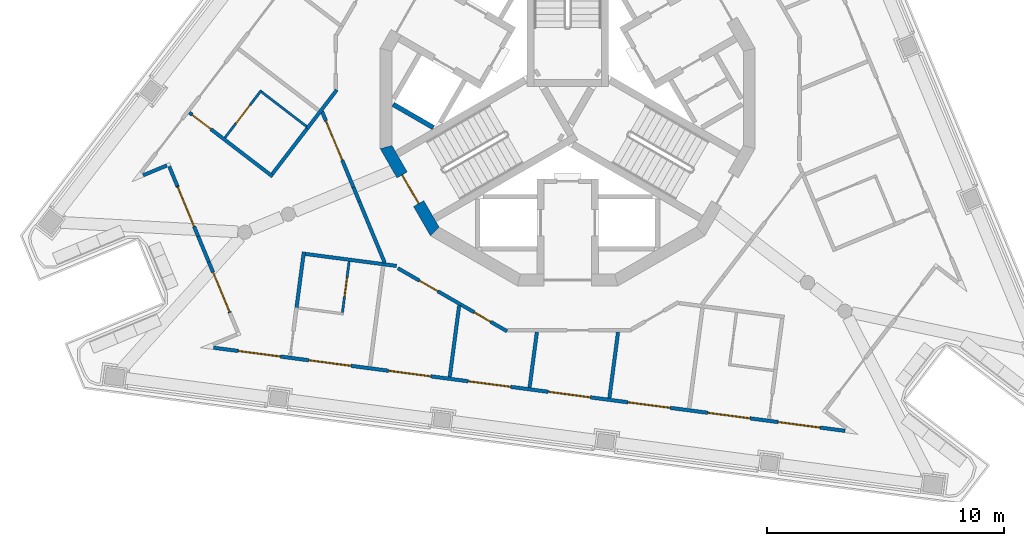
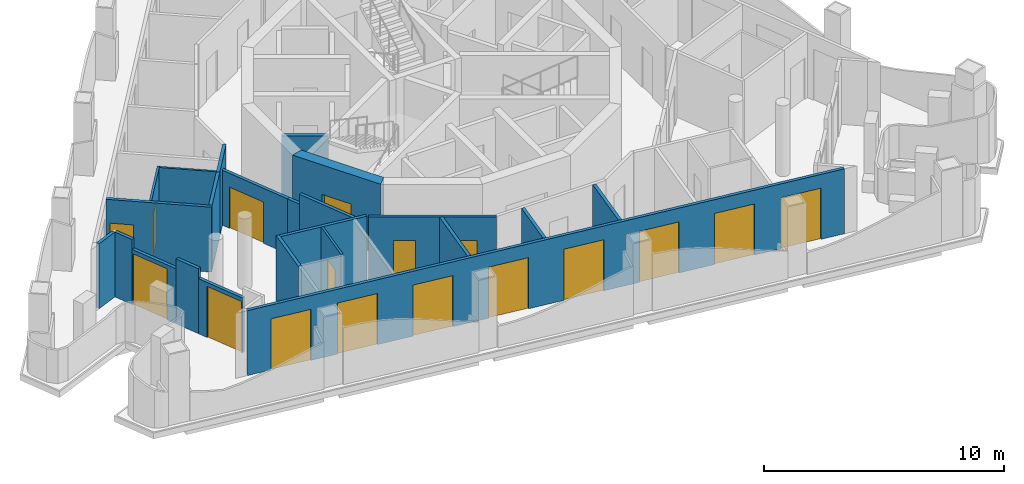
# One storey, part 2 of 12: 23 walls, 17 doors, 17 openings.
"""IFC4 building model written with IfcOpenShell, lengths in metres."""

from ifc_helpers import new_model, si_unit, direction, frame, frame_2d, origin, place, context, subcontext, project, spatial, polyline, rectangle, outline, extrude, material, layer, layer_set, type_object, element, fill, save


model = new_model("IFC4")

# Units and contexts
model_context = context("Model", 3, precision=1e-05, world=origin(), true_north=direction((0.0, 1.0)))
body_context = subcontext(model_context, "Body", "Model", "MODEL_VIEW")
ifc_project = project(units=[si_unit("LENGTHUNIT", "METRE"), si_unit("AREAUNIT", "SQUARE_METRE"), si_unit("VOLUMEUNIT", "CUBIC_METRE"), si_unit("PLANEANGLEUNIT", "RADIAN"), si_unit("MASSUNIT", "GRAM", prefix="KILO")], contexts=[model_context])

# Site, building, storey
site_placement = place(None, origin())
site = spatial("IfcSite", under=ifc_project, at=site_placement, CompositionType="ELEMENT")
building_placement = place(site_placement, origin())
building = spatial("IfcBuilding", under=site, at=building_placement, Name="Trine Commons Tower", CompositionType="ELEMENT")
storey_placement = place(building_placement, frame((0.0, 0.0, 279.0)))
storey = spatial("IfcBuildingStorey", under=building, at=storey_placement, Name="L73", CompositionType="ELEMENT", Elevation=279.0)

# Wall, openings, doors
ifc_material_1 = material(Name="Aluminium-framed insulated wall panel", Category="aluminium")
ifc_layer_1 = layer(ifc_material_1, 0.14990234375)
ifc_layer_set_1 = layer_set([ifc_layer_1], Name="Aluminium-framed insulated wall panel")
wall_type_1 = type_object("IfcWallType", Name="Glazed frame wall 150, EI 60", PredefinedType="SOLIDWALL", material=ifc_layer_set_1)
wall_1_placement = place(storey_placement, frame((91.869140625, 48.4384765625, 0.0), z_axis=(0.0, 0.0, 1.0), x_axis=(-0.991445282789, 0.130522991213, 0.0)))
wall_1 = element("IfcWall", 1, at=wall_1_placement, inside=storey, type_object=wall_type_1, Name="Glazed frame wall F3", PredefinedType="SOLIDWALL", context=body_context, shape_type="SweptSolid", body=[
    extrude(outline(polyline([(0.1494140625, 0.074951171875), (0.1494140625, -0.074951171875), (27.056884765625, -0.074951171875), (27.056884765625, 0.074951171875), (0.1494140625, 0.074951171875)])), origin(), (0.0, 0.0, 1.0), 3.300048828125),
])
opening_1_placement = place(wall_1_placement, frame((1.200439453125, 0.0, 0.0)))
opening_1 = element("IfcOpeningElement", 2, at=opening_1_placement, cuts=wall_1, Name="Opening BD-8F3-01", PredefinedType="OPENING", context=body_context, shape_type="SweptSolid", body=[
    extrude(rectangle(XDim=1.800048828125, YDim=2.60009765625, at=frame_2d((0.89990234375, 1.300048828125))), frame((0.0, 0.0849609375, 0.0), z_axis=(0.0, -1.0, 0.0), x_axis=(1.0, 0.0, 0.0)), (0.0, 0.0, 1.0), 0.169921875),
])
opening_2_placement = place(wall_1_placement, frame((4.201171875, 0.0, 0.0)))
opening_2 = element("IfcOpeningElement", 3, at=opening_2_placement, cuts=wall_1, Name="Opening BD-8F3-02", PredefinedType="OPENING", context=body_context, shape_type="SweptSolid", body=[
    extrude(rectangle(XDim=1.800048828125, YDim=2.60009765625, at=frame_2d((0.89990234375, 1.300048828125))), frame((0.0, 0.0849609375, 0.0), z_axis=(0.0, -1.0, 0.0), x_axis=(1.0, 0.0, 0.0)), (0.0, 0.0, 1.0), 0.169921875),
])
opening_3_placement = place(wall_1_placement, frame((7.60205078125, 0.0, 0.0)))
opening_3 = element("IfcOpeningElement", 4, at=opening_3_placement, cuts=wall_1, Name="Opening BD-8F3-03", PredefinedType="OPENING", context=body_context, shape_type="SweptSolid", body=[
    extrude(rectangle(XDim=1.800048828125, YDim=2.60009765625, at=frame_2d((0.89990234375, 1.300048828125))), frame((0.0, 0.0849609375, 0.0), z_axis=(0.0, -1.0, 0.0), x_axis=(1.0, 0.0, 0.0)), (0.0, 0.0, 1.0), 0.169921875),
])
opening_4_placement = place(wall_1_placement, frame((11.002685546875, 0.0, 0.0)))
opening_4 = element("IfcOpeningElement", 5, at=opening_4_placement, cuts=wall_1, Name="Opening BD-8F3-04", PredefinedType="OPENING", context=body_context, shape_type="SweptSolid", body=[
    extrude(rectangle(XDim=1.800048828125, YDim=2.60009765625, at=frame_2d((0.89990234375, 1.300048828125))), frame((0.0, 0.0849609375, 0.0), z_axis=(0.0, -1.0, 0.0), x_axis=(1.0, 0.0, 0.0)), (0.0, 0.0, 1.0), 0.169921875),
])
opening_5_placement = place(wall_1_placement, frame((14.403564453125, 0.0, 0.0)))
opening_5 = element("IfcOpeningElement", 6, at=opening_5_placement, cuts=wall_1, Name="Opening BD-8F3-05", PredefinedType="OPENING", context=body_context, shape_type="SweptSolid", body=[
    extrude(rectangle(XDim=1.800048828125, YDim=2.60009765625, at=frame_2d((0.89990234375, 1.300048828125))), frame((0.0, 0.0849609375, 0.0), z_axis=(0.0, -1.0, 0.0), x_axis=(1.0, 0.0, 0.0)), (0.0, 0.0, 1.0), 0.169921875),
])
opening_6_placement = place(wall_1_placement, frame((17.804443359375, 0.0, 0.0)))
opening_6 = element("IfcOpeningElement", 7, at=opening_6_placement, cuts=wall_1, Name="Opening BD-8F3-06", PredefinedType="OPENING", context=body_context, shape_type="SweptSolid", body=[
    extrude(rectangle(XDim=1.800048828125, YDim=2.60009765625, at=frame_2d((0.89990234375, 1.300048828125))), frame((0.0, 0.0849609375, 0.0), z_axis=(0.0, -1.0, 0.0), x_axis=(1.0, 0.0, 0.0)), (0.0, 0.0, 1.0), 0.169921875),
])
opening_7_placement = place(wall_1_placement, frame((21.205078125, 0.0, 0.0)))
opening_7 = element("IfcOpeningElement", 8, at=opening_7_placement, cuts=wall_1, Name="Opening BD-8F3-07", PredefinedType="OPENING", context=body_context, shape_type="SweptSolid", body=[
    extrude(rectangle(XDim=1.800048828125, YDim=2.60009765625, at=frame_2d((0.89990234375, 1.300048828125))), frame((0.0, 0.0849609375, 0.0), z_axis=(0.0, -1.0, 0.0), x_axis=(1.0, 0.0, 0.0)), (0.0, 0.0, 1.0), 0.169921875),
])
opening_8_placement = place(wall_1_placement, frame((24.2060546875, 0.0, 0.0)))
opening_8 = element("IfcOpeningElement", 9, at=opening_8_placement, cuts=wall_1, Name="Opening BD-8F3-08", PredefinedType="OPENING", context=body_context, shape_type="SweptSolid", body=[
    extrude(rectangle(XDim=1.800048828125, YDim=2.60009765625, at=frame_2d((0.89990234375, 1.300048828125))), frame((0.0, 0.0849609375, 0.0), z_axis=(0.0, -1.0, 0.0), x_axis=(1.0, 0.0, 0.0)), (0.0, 0.0, 1.0), 0.169921875),
])
ifc_material_2 = material(Name="Anodised aluminium frame with double glazing", Category="aluminium")
door_type_1 = type_object("IfcDoorType", Name="Sliding loggia door 1800x2600", OperationType="SLIDING_TO_LEFT", PredefinedType="DOOR", material=ifc_material_2)
door_1_placement = place(opening_1_placement, origin())
door_1 = element("IfcDoor", 10, at=door_1_placement, inside=storey, type_object=door_type_1, Name="Loggia door F3 1", OperationType="SLIDING_TO_LEFT", OverallHeight=2.60009765625, OverallWidth=1.800048828125, PredefinedType="DOOR", context=body_context, shape_type="SweptSolid", body=[
    extrude(rectangle(XDim=1.800048828125, YDim=2.60009765625, at=frame_2d((0.89990234375, 1.300048828125))), frame((0.0, 0.02490234375, 0.0), z_axis=(0.0, -1.0, 0.0), x_axis=(1.0, 0.0, 0.0)), (0.0, 0.0, 1.0), 0.050048828125),
])
fill(opening_1, door_1)
door_2_placement = place(opening_2_placement, origin())
door_2 = element("IfcDoor", 11, at=door_2_placement, inside=storey, type_object=door_type_1, Name="Loggia door F3 2", OperationType="SLIDING_TO_LEFT", OverallHeight=2.60009765625, OverallWidth=1.800048828125, PredefinedType="DOOR", context=body_context, shape_type="SweptSolid", body=[
    extrude(rectangle(XDim=1.800048828125, YDim=2.60009765625, at=frame_2d((0.89990234375, 1.300048828125))), frame((0.0, 0.02490234375, 0.0), z_axis=(0.0, -1.0, 0.0), x_axis=(1.0, 0.0, 0.0)), (0.0, 0.0, 1.0), 0.050048828125),
])
fill(opening_2, door_2)
door_3_placement = place(opening_3_placement, origin())
door_3 = element("IfcDoor", 12, at=door_3_placement, inside=storey, type_object=door_type_1, Name="Loggia door F3 3", OperationType="SLIDING_TO_LEFT", OverallHeight=2.60009765625, OverallWidth=1.800048828125, PredefinedType="DOOR", context=body_context, shape_type="SweptSolid", body=[
    extrude(rectangle(XDim=1.800048828125, YDim=2.60009765625, at=frame_2d((0.89990234375, 1.300048828125))), frame((0.0, 0.02490234375, 0.0), z_axis=(0.0, -1.0, 0.0), x_axis=(1.0, 0.0, 0.0)), (0.0, 0.0, 1.0), 0.050048828125),
])
fill(opening_3, door_3)
door_4_placement = place(opening_4_placement, origin())
door_4 = element("IfcDoor", 13, at=door_4_placement, inside=storey, type_object=door_type_1, Name="Loggia door F3 4", OperationType="SLIDING_TO_LEFT", OverallHeight=2.60009765625, OverallWidth=1.800048828125, PredefinedType="DOOR", context=body_context, shape_type="SweptSolid", body=[
    extrude(rectangle(XDim=1.800048828125, YDim=2.60009765625, at=frame_2d((0.89990234375, 1.300048828125))), frame((0.0, 0.02490234375, 0.0), z_axis=(0.0, -1.0, 0.0), x_axis=(1.0, 0.0, 0.0)), (0.0, 0.0, 1.0), 0.050048828125),
])
fill(opening_4, door_4)
door_5_placement = place(opening_5_placement, origin())
door_5 = element("IfcDoor", 14, at=door_5_placement, inside=storey, type_object=door_type_1, Name="Loggia door F3 5", OperationType="SLIDING_TO_LEFT", OverallHeight=2.60009765625, OverallWidth=1.800048828125, PredefinedType="DOOR", context=body_context, shape_type="SweptSolid", body=[
    extrude(rectangle(XDim=1.800048828125, YDim=2.60009765625, at=frame_2d((0.89990234375, 1.300048828125))), frame((0.0, 0.02490234375, 0.0), z_axis=(0.0, -1.0, 0.0), x_axis=(1.0, 0.0, 0.0)), (0.0, 0.0, 1.0), 0.050048828125),
])
fill(opening_5, door_5)
door_6_placement = place(opening_6_placement, origin())
door_6 = element("IfcDoor", 15, at=door_6_placement, inside=storey, type_object=door_type_1, Name="Loggia door F3 6", OperationType="SLIDING_TO_LEFT", OverallHeight=2.60009765625, OverallWidth=1.800048828125, PredefinedType="DOOR", context=body_context, shape_type="SweptSolid", body=[
    extrude(rectangle(XDim=1.800048828125, YDim=2.60009765625, at=frame_2d((0.89990234375, 1.300048828125))), frame((0.0, 0.02490234375, 0.0), z_axis=(0.0, -1.0, 0.0), x_axis=(1.0, 0.0, 0.0)), (0.0, 0.0, 1.0), 0.050048828125),
])
fill(opening_6, door_6)
door_7_placement = place(opening_7_placement, origin())
door_7 = element("IfcDoor", 16, at=door_7_placement, inside=storey, type_object=door_type_1, Name="Loggia door F3 7", OperationType="SLIDING_TO_LEFT", OverallHeight=2.60009765625, OverallWidth=1.800048828125, PredefinedType="DOOR", context=body_context, shape_type="SweptSolid", body=[
    extrude(rectangle(XDim=1.800048828125, YDim=2.60009765625, at=frame_2d((0.89990234375, 1.300048828125))), frame((0.0, 0.02490234375, 0.0), z_axis=(0.0, -1.0, 0.0), x_axis=(1.0, 0.0, 0.0)), (0.0, 0.0, 1.0), 0.050048828125),
])
fill(opening_7, door_7)
door_8_placement = place(opening_8_placement, origin())
door_8 = element("IfcDoor", 17, at=door_8_placement, inside=storey, type_object=door_type_1, Name="Loggia door F3 8", OperationType="SLIDING_TO_LEFT", OverallHeight=2.60009765625, OverallWidth=1.800048828125, PredefinedType="DOOR", context=body_context, shape_type="SweptSolid", body=[
    extrude(rectangle(XDim=1.800048828125, YDim=2.60009765625, at=frame_2d((0.89990234375, 1.300048828125))), frame((0.0, 0.02490234375, 0.0), z_axis=(0.0, -1.0, 0.0), x_axis=(1.0, 0.0, 0.0)), (0.0, 0.0, 1.0), 0.050048828125),
])
fill(opening_8, door_8)

# Wall, opening, door
wall_2_placement = place(storey_placement, frame((65.72802734375, 53.449462890625, 0.0), z_axis=(0.0, 0.0, 1.0), x_axis=(-0.382693948857, 0.923875176368, 0.0)))
wall_2 = element("IfcWall", 18, at=wall_2_placement, inside=storey, type_object=wall_type_1, Name="Glazed frame wall P3.2", PredefinedType="SOLIDWALL", context=body_context, shape_type="SweptSolid", body=[
    extrude(outline(polyline([(0.0, -0.074951171875), (2.310791015625, -0.074951171875), (2.310791015625, 0.074951171875), (0.0, 0.074951171875), (0.0, -0.074951171875)])), origin(), (0.0, 0.0, 1.0), 2.800048828125),
])
opening_9_placement = place(wall_2_placement, frame((0.050048828125, 0.0, 0.0)))
opening_9 = element("IfcOpeningElement", 19, at=opening_9_placement, cuts=wall_2, Name="Opening BD-8P3-01", PredefinedType="OPENING", context=body_context, shape_type="SweptSolid", body=[
    extrude(rectangle(XDim=1.800048828125, YDim=2.60009765625, at=frame_2d((0.89990234375, 1.300048828125))), frame((0.0, 0.0849609375, 0.0), z_axis=(0.0, -1.0, 0.0), x_axis=(1.0, 0.0, 0.0)), (0.0, 0.0, 1.0), 0.169921875),
])
door_9_placement = place(opening_9_placement, origin())
door_9 = element("IfcDoor", 20, at=door_9_placement, inside=storey, type_object=door_type_1, Name="Loggia door P3 1", OperationType="SLIDING_TO_LEFT", OverallHeight=2.60009765625, OverallWidth=1.800048828125, PredefinedType="DOOR", context=body_context, shape_type="SweptSolid", body=[
    extrude(rectangle(XDim=1.800048828125, YDim=2.60009765625, at=frame_2d((0.89990234375, 1.300048828125))), frame((0.0, 0.02490234375, 0.0), z_axis=(0.0, -1.0, 0.0), x_axis=(1.0, 0.0, 0.0)), (0.0, 0.0, 1.0), 0.050048828125),
])
fill(opening_9, door_9)

# Wall
wall_3_placement = place(storey_placement, frame((64.84375, 55.584228515625, 0.0), z_axis=(0.0, 0.0, 1.0), x_axis=(-0.382790839847, 0.923835035561, 0.0)))
element("IfcWall", 21, at=wall_3_placement, inside=storey, type_object=wall_type_1, Name="Glazed frame wall P3.3", PredefinedType="SOLIDWALL", context=body_context, shape_type="SweptSolid", body=[
    extrude(outline(polyline([(0.0, -0.074951171875), (1.1787109375, -0.074951171875), (1.1787109375, 0.074951171875), (0.0, 0.074951171875), (0.0, -0.074951171875)])), origin(), (0.0, 0.0, 1.0), 3.300048828125),
])

# Wall, opening, door
wall_4_placement = place(storey_placement, frame((64.392578125, 56.673095703125, 0.0), z_axis=(0.0, 0.0, 1.0), x_axis=(-0.382693948857, 0.923875176368, 0.0)))
wall_4 = element("IfcWall", 22, at=wall_4_placement, inside=storey, type_object=wall_type_1, Name="Glazed frame wall P3.4", PredefinedType="SOLIDWALL", context=body_context, shape_type="SweptSolid", body=[
    extrude(outline(polyline([(0.0, -0.074951171875), (2.310546875, -0.074951171875), (2.310546875, 0.074951171875), (0.0, 0.074951171875), (0.0, -0.074951171875)])), origin(), (0.0, 0.0, 1.0), 2.800048828125),
])
opening_10_placement = place(wall_4_placement, frame((0.460693359375, 0.0, 0.0)))
opening_10 = element("IfcOpeningElement", 23, at=opening_10_placement, cuts=wall_4, Name="Opening BD-8P3-02", PredefinedType="OPENING", context=body_context, shape_type="SweptSolid", body=[
    extrude(rectangle(XDim=1.800048828125, YDim=2.60009765625, at=frame_2d((0.89990234375, 1.300048828125))), frame((0.0, 0.0849609375, 0.0), z_axis=(0.0, -1.0, 0.0), x_axis=(1.0, 0.0, 0.0)), (0.0, 0.0, 1.0), 0.169921875),
])
door_10_placement = place(opening_10_placement, origin())
door_10 = element("IfcDoor", 24, at=door_10_placement, inside=storey, type_object=door_type_1, Name="Loggia door P3 2", OperationType="SLIDING_TO_LEFT", OverallHeight=2.60009765625, OverallWidth=1.800048828125, PredefinedType="DOOR", context=body_context, shape_type="SweptSolid", body=[
    extrude(rectangle(XDim=1.800048828125, YDim=2.60009765625, at=frame_2d((0.89990234375, 1.300048828125))), frame((0.0, 0.02490234375, 0.0), z_axis=(0.0, -1.0, 0.0), x_axis=(1.0, 0.0, 0.0)), (0.0, 0.0, 1.0), 0.050048828125),
])
fill(opening_10, door_10)

# Walls
wall_5_placement = place(storey_placement, frame((63.50830078125, 58.807861328125, 0.0), z_axis=(0.0, 0.0, 1.0), x_axis=(-0.382603377961, 0.923912688068, 0.0)))
element("IfcWall", 25, at=wall_5_placement, inside=storey, type_object=wall_type_1, Name="Glazed frame wall P3.5", PredefinedType="SOLIDWALL", context=body_context, shape_type="SweptSolid", body=[
    extrude(outline(polyline([(0.889892578125, 0.074951171875), (0.0, 0.074951171875), (0.0, -0.074951171875), (0.889892578125, -0.074951171875), (0.889892578125, 0.074951171875)])), origin(), (0.0, 0.0, 1.0), 3.300048828125),
])
wall_6_placement = place(storey_placement, frame((63.17138671875, 59.712890625, 0.0), z_axis=(0.0, 0.0, 1.0), x_axis=(-0.923837625967, -0.382784588048, 0.0)))
element("IfcWall", 26, at=wall_6_placement, inside=storey, type_object=wall_type_1, Name="Glazed frame wall R12", PredefinedType="SOLIDWALL", context=body_context, shape_type="SweptSolid", body=[
    extrude(outline(polyline([(0.110107421875, 0.074951171875), (0.110107421875, -0.074951171875), (1.19580078125, -0.074951171875), (1.19580078125, 0.074951171875), (0.110107421875, 0.074951171875)])), origin(), (0.0, 0.0, 1.0), 3.300048828125),
])

# Wall, opening, door
ifc_material_3 = material(Name="Concrete C50/60", Category="concrete")
ifc_layer_2 = layer(ifc_material_3, 0.5)
ifc_layer_set_2 = layer_set([ifc_layer_2], Name="Concrete C50/60")
wall_type_2 = type_object("IfcWallType", Name="RC shear wall 500 mm, C50/60", PredefinedType="SHEAR", material=ifc_layer_set_2)
wall_7_placement = place(storey_placement, frame((72.2958984375, 60.502685546875, 0.0), z_axis=(0.0, 0.0, 1.0), x_axis=(0.499992968425, -0.866029463428, 0.0)))
wall_7 = element("IfcWall", 27, at=wall_7_placement, inside=storey, type_object=wall_type_2, Name="Core wall CWH-08 L73", PredefinedType="SHEAR", context=body_context, shape_type="SweptSolid", body=[
    extrude(outline(polyline([(0.0, -0.25), (4.24462890625, -0.25), (4.110595703125, 0.25), (0.134033203125, 0.25), (0.0, -0.25)])), origin(), (0.0, 0.0, 1.0), 3.60009765625),
])
opening_11_placement = place(wall_7_placement, frame((1.42236328125, 0.0, 0.0)))
opening_11 = element("IfcOpeningElement", 28, at=opening_11_placement, cuts=wall_7, Name="Opening K19.02", PredefinedType="OPENING", context=body_context, shape_type="SweptSolid", body=[
    extrude(rectangle(XDim=1.39990234375, YDim=2.10009765625, at=frame_2d((0.699951171875, 1.050048828125))), frame((0.0, 0.260009765625, 0.0), z_axis=(0.0, -1.0, 0.0), x_axis=(1.0, 0.0, 0.0)), (0.0, 0.0, 1.0), 0.52001953125),
])
ifc_material_4 = material(Name="Steel door leaves, fire-rated", Category="steel")
door_type_2 = type_object("IfcDoorType", Name="Stair door, double leaf 1400 x 2100, FD90", OperationType="DOUBLE_DOOR_SINGLE_SWING", PredefinedType="DOOR", material=ifc_material_4)
door_11_placement = place(opening_11_placement, origin())
door_11 = element("IfcDoor", 29, at=door_11_placement, inside=storey, type_object=door_type_2, Name="Stair door to Exit stair ST2D L73", OperationType="DOUBLE_DOOR_SINGLE_SWING", OverallHeight=2.10009765625, OverallWidth=1.39990234375, PredefinedType="DOOR", context=body_context, shape_type="SweptSolid", body=[
    extrude(rectangle(XDim=1.39990234375, YDim=2.10009765625, at=frame_2d((0.699951171875, 1.050048828125))), frame((0.0, 0.02490234375, 0.0), z_axis=(0.0, -1.0, 0.0), x_axis=(1.0, 0.0, 0.0)), (0.0, 0.0, 1.0), 0.050048828125),
])
fill(opening_11, door_11)

# Wall
ifc_material_5 = material(Name="Fire-rated gypsum shaft wall system")
ifc_layer_3 = layer(ifc_material_5, 0.199951171875)
ifc_layer_set_3 = layer_set([ifc_layer_3], Name="Fire-rated gypsum shaft wall system")
wall_type_3 = type_object("IfcWallType", Name="Shaft wall 200 mm, EI 120", PredefinedType="PARTITIONING", material=ifc_layer_set_3)
wall_8_placement = place(storey_placement, frame((74.324951171875, 61.27294921875, 0.0), z_axis=(0.0, 0.0, 1.0), x_axis=(-0.86585547495, 0.500294209939, 0.0)))
element("IfcWall", 30, at=wall_8_placement, inside=storey, type_object=wall_type_3, Name="Shaft wall L73", PredefinedType="PARTITIONING", context=body_context, shape_type="SweptSolid", body=[
    extrude(rectangle(XDim=1.958740234375, YDim=0.199951171875, at=frame_2d((0.9794921875, 0.0))), origin(), (0.0, 0.0, 1.0), 3.300048828125),
])

# Wall, opening, door
ifc_material_6 = material(Name="Gypsum plasterboard on steel stud", Category="steel")
ifc_layer_4 = layer(ifc_material_6, 0.14990234375)
ifc_layer_set_4 = layer_set([ifc_layer_4], Name="Gypsum plasterboard on steel stud")
wall_type_4 = type_object("IfcWallType", Name="Unit and corridor wall 150 mm, EI 60", PredefinedType="PARTITIONING", material=ifc_layer_set_4)
wall_9_placement = place(storey_placement, frame((64.017578125, 61.903564453125, 0.0), z_axis=(0.0, 0.0, 1.0), x_axis=(0.793364364442, -0.608747061786, 0.0)))
wall_9 = element("IfcWall", 31, at=wall_9_placement, inside=storey, type_object=wall_type_4, Name="Partition 001", PredefinedType="PARTITIONING", context=body_context, shape_type="SweptSolid", body=[
    extrude(rectangle(XDim=4.43408203125, YDim=0.14990234375, at=frame_2d((2.217041015625, 0.0))), origin(), (0.0, 0.0, 1.0), 3.300048828125),
])
opening_12_placement = place(wall_9_placement, frame((0.14990234375, 0.0, 0.0)))
opening_12 = element("IfcOpeningElement", 32, at=opening_12_placement, cuts=wall_9, Name="Opening D-8A04", PredefinedType="OPENING", context=body_context, shape_type="SweptSolid", body=[
    extrude(rectangle(XDim=1.0, YDim=2.10009765625, at=frame_2d((0.5, 1.050048828125))), frame((0.0, 0.0849609375, 0.0), z_axis=(0.0, -1.0, 0.0), x_axis=(1.0, 0.0, 0.0)), (0.0, 0.0, 1.0), 0.169921875),
])
ifc_material_7 = material(Name="Timber fire door set", Category="wood")
door_type_3 = type_object("IfcDoorType", Name="Bedroom door 1000 x 2100, FD30S", OperationType="NOTDEFINED", PredefinedType="DOOR", material=ifc_material_7)
door_12_placement = place(opening_12_placement, origin())
door_12 = element("IfcDoor", 33, at=door_12_placement, inside=storey, type_object=door_type_3, Name="Door D-8A04", OperationType="SINGLE_SWING_LEFT", OverallHeight=2.10009765625, OverallWidth=1.0, PredefinedType="DOOR", context=body_context, shape_type="SweptSolid", body=[
    extrude(rectangle(XDim=1.0, YDim=2.10009765625, at=frame_2d((0.5, 1.050048828125))), frame((0.0, 0.02490234375, 0.0), z_axis=(0.0, -1.0, 0.0), x_axis=(1.0, 0.0, 0.0)), (0.0, 0.0, 1.0), 0.050048828125),
])
fill(opening_12, door_12)

# Walls
wall_10_placement = place(storey_placement, frame((67.521728515625, 59.3095703125, 0.0), z_axis=(0.0, 0.0, 1.0), x_axis=(0.608882210114, 0.793260647081, 0.0)))
element("IfcWall", 34, at=wall_10_placement, inside=storey, type_object=wall_type_4, Name="Partition 005", PredefinedType="PARTITIONING", context=body_context, shape_type="SweptSolid", body=[
    extrude(rectangle(XDim=2.478759765625, YDim=0.14990234375, at=frame_2d((1.2392578125, 0.0))), origin(), (0.0, 0.0, 1.0), 3.300048828125),
])
wall_11_placement = place(storey_placement, frame((68.53857421875, 53.6083984375, 0.0), z_axis=(0.0, 0.0, 1.0), x_axis=(0.130524691554, 0.991445058939, 0.0)))
element("IfcWall", 35, at=wall_11_placement, inside=storey, type_object=wall_type_4, Name="Partition 008", PredefinedType="PARTITIONING", context=body_context, shape_type="SweptSolid", body=[
    extrude(rectangle(XDim=2.4296875, YDim=0.14990234375, at=frame_2d((1.21484375, 0.0))), origin(), (0.0, 0.0, 1.0), 3.300048828125),
])
wall_12_placement = place(storey_placement, frame((68.92041015625, 55.93310546875, 0.0), z_axis=(0.0, 0.0, 1.0), x_axis=(0.991448734514, -0.130496769429, 0.0)))
element("IfcWall", 36, at=wall_12_placement, inside=storey, type_object=wall_type_4, Name="Partition 010", PredefinedType="PARTITIONING", context=body_context, shape_type="SweptSolid", body=[
    extrude(rectangle(XDim=3.8857421875, YDim=0.14990234375, at=frame_2d((1.94287109375, 0.0))), origin(), (0.0, 0.0, 1.0), 3.300048828125),
])
wall_13_placement = place(storey_placement, frame((68.99658203125, 61.230224609375, 0.0), z_axis=(0.0, 0.0, 1.0), x_axis=(0.60842656581, 0.793610177617, 0.0)))
element("IfcWall", 37, at=wall_13_placement, inside=storey, type_object=wall_type_4, Name="Partition 011", PredefinedType="PARTITIONING", context=body_context, shape_type="SweptSolid", body=[
    extrude(rectangle(XDim=2.059326171875, YDim=0.14990234375, at=frame_2d((1.02978515625, 0.0))), origin(), (0.0, 0.0, 1.0), 3.300048828125),
])

# Wall, opening, door
wall_14_placement = place(storey_placement, frame((69.626708984375, 61.94580078125, 0.0), z_axis=(0.0, 0.0, 1.0), x_axis=(0.382659407135, -0.923889483721, 0.0)))
wall_14 = element("IfcWall", 38, at=wall_14_placement, inside=storey, type_object=wall_type_4, Name="Partition 012", PredefinedType="PARTITIONING", context=body_context, shape_type="SweptSolid", body=[
    extrude(rectangle(XDim=3.4580078125, YDim=0.14990234375, at=frame_2d((1.72900390625, 0.0))), origin(), (0.0, 0.0, 1.0), 2.800048828125),
])
opening_13_placement = place(wall_14_placement, frame((0.421630859375, 0.0, 0.0)))
opening_13 = element("IfcOpeningElement", 39, at=opening_13_placement, cuts=wall_14, Name="Opening D-8A03", PredefinedType="OPENING", context=body_context, shape_type="SweptSolid", body=[
    extrude(rectangle(XDim=1.800048828125, YDim=2.10009765625, at=frame_2d((0.89990234375, 1.050048828125))), frame((0.0, 0.0849609375, 0.0), z_axis=(0.0, -1.0, 0.0), x_axis=(1.0, 0.0, 0.0)), (0.0, 0.0, 1.0), 0.169921875),
])
door_type_4 = type_object("IfcDoorType", Name="Cluster entrance door 1800 x 2100, double leaf, FD30S", OperationType="DOUBLE_DOOR_DOUBLE_SWING", PredefinedType="DOOR", material=ifc_material_7)
door_13_placement = place(opening_13_placement, frame((1.800048828125, 0.0, 0.0), z_axis=(0.0, 0.0, 1.0), x_axis=(-1.0, 0.0, 0.0)))
door_13 = element("IfcDoor", 40, at=door_13_placement, inside=storey, type_object=door_type_4, Name="Door D-8A03", OperationType="DOUBLE_DOOR_DOUBLE_SWING", OverallHeight=2.10009765625, OverallWidth=1.800048828125, PredefinedType="DOOR", context=body_context, shape_type="SweptSolid", body=[
    extrude(rectangle(XDim=1.800048828125, YDim=2.10009765625, at=frame_2d((0.89990234375, 1.050048828125))), frame((0.0, 0.02490234375, 0.0), z_axis=(0.0, -1.0, 0.0), x_axis=(1.0, 0.0, 0.0)), (0.0, 0.0, 1.0), 0.050048828125),
])
fill(opening_13, door_13)

# Walls
wall_15_placement = place(storey_placement, frame((70.949951171875, 58.7509765625, 0.0), z_axis=(0.0, 0.0, 1.0), x_axis=(0.383291989612, -0.923627224967, 0.0)))
element("IfcWall", 41, at=wall_15_placement, inside=storey, type_object=wall_type_4, Name="Partition 018", PredefinedType="PARTITIONING", context=body_context, shape_type="SweptSolid", body=[
    extrude(rectangle(XDim=0.64208984375, YDim=0.14990234375, at=frame_2d((0.321044921875, 0.0))), origin(), (0.0, 0.0, 1.0), 2.800048828125),
])
wall_16_placement = place(storey_placement, frame((71.196044921875, 58.157958984375, 0.0), z_axis=(0.0, 0.0, 1.0), x_axis=(0.382668413767, -0.923885753275, 0.0)))
element("IfcWall", 42, at=wall_16_placement, inside=storey, type_object=wall_type_4, Name="Partition 019", PredefinedType="PARTITIONING", context=body_context, shape_type="SweptSolid", body=[
    extrude(rectangle(XDim=2.81494140625, YDim=0.14990234375, at=frame_2d((1.407470703125, 0.0))), origin(), (0.0, 0.0, 1.0), 3.300048828125),
])

# Wall, openings, doors
wall_17_placement = place(storey_placement, frame((72.8291015625, 55.3291015625, 0.0), z_axis=(0.0, 0.0, 1.0), x_axis=(0.865982457891, -0.500074377092, 0.0)))
wall_17 = element("IfcWall", 43, at=wall_17_placement, inside=storey, type_object=wall_type_4, Name="Partition 023", PredefinedType="PARTITIONING", context=body_context, shape_type="SweptSolid", body=[
    extrude(rectangle(XDim=5.324462890625, YDim=0.14990234375, at=frame_2d((2.662109375, 0.0))), origin(), (0.0, 0.0, 1.0), 3.300048828125),
])
opening_14_placement = place(wall_17_placement, frame((3.72509765625, 0.0, 0.0)))
opening_14 = element("IfcOpeningElement", 44, at=opening_14_placement, cuts=wall_17, Name="Opening D-8A17", PredefinedType="OPENING", context=body_context, shape_type="SweptSolid", body=[
    extrude(rectangle(XDim=0.800048828125, YDim=2.10009765625, at=frame_2d((0.39990234375, 1.050048828125))), frame((0.0, 0.0849609375, 0.0), z_axis=(0.0, -1.0, 0.0), x_axis=(1.0, 0.0, 0.0)), (0.0, 0.0, 1.0), 0.169921875),
])
opening_15_placement = place(wall_17_placement, frame((1.05029296875, 0.0, 0.0)))
opening_15 = element("IfcOpeningElement", 45, at=opening_15_placement, cuts=wall_17, Name="Opening D-8A18", PredefinedType="OPENING", context=body_context, shape_type="SweptSolid", body=[
    extrude(rectangle(XDim=0.89990234375, YDim=2.10009765625, at=frame_2d((0.449951171875, 1.050048828125))), frame((0.0, 0.0849609375, 0.0), z_axis=(0.0, -1.0, 0.0), x_axis=(1.0, 0.0, 0.0)), (0.0, 0.0, 1.0), 0.169921875),
])
door_type_5 = type_object("IfcDoorType", Name="Service door 900 x 2100, FD30S", OperationType="NOTDEFINED", PredefinedType="DOOR", material=ifc_material_7)
door_14_placement = place(opening_15_placement, frame((0.89990234375, 0.0, 0.0), z_axis=(0.0, 0.0, 1.0), x_axis=(-1.0, 0.0, 0.0)))
door_14 = element("IfcDoor", 46, at=door_14_placement, inside=storey, type_object=door_type_5, Name="Door D-8A18", OperationType="SINGLE_SWING_RIGHT", OverallHeight=2.10009765625, OverallWidth=0.89990234375, PredefinedType="DOOR", context=body_context, shape_type="SweptSolid", body=[
    extrude(rectangle(XDim=0.89990234375, YDim=2.10009765625, at=frame_2d((0.449951171875, 1.050048828125))), frame((0.0, 0.02490234375, 0.0), z_axis=(0.0, -1.0, 0.0), x_axis=(1.0, 0.0, 0.0)), (0.0, 0.0, 1.0), 0.050048828125),
])
fill(opening_15, door_14)
ifc_material_8 = material(Name="Painted timber", Category="wood")
door_type_6 = type_object("IfcDoorType", Name="Toilet door 800 x 2100, NOT RATED", OperationType="NOTDEFINED", PredefinedType="DOOR", material=ifc_material_8)
door_15_placement = place(opening_14_placement, frame((0.800048828125, 0.0, 0.0), z_axis=(0.0, 0.0, 1.0), x_axis=(-1.0, 0.0, 0.0)))
door_15 = element("IfcDoor", 47, at=door_15_placement, inside=storey, type_object=door_type_6, Name="Door D-8A17", OperationType="SINGLE_SWING_LEFT", OverallHeight=2.10009765625, OverallWidth=0.800048828125, PredefinedType="DOOR", context=body_context, shape_type="SweptSolid", body=[
    extrude(rectangle(XDim=0.800048828125, YDim=2.10009765625, at=frame_2d((0.39990234375, 1.050048828125))), frame((0.0, 0.02490234375, 0.0), z_axis=(0.0, -1.0, 0.0), x_axis=(1.0, 0.0, 0.0)), (0.0, 0.0, 1.0), 0.050048828125),
])
fill(opening_14, door_15)

# Walls
wall_18_placement = place(storey_placement, frame((75.020263671875, 50.732666015625, 0.0), z_axis=(0.0, 0.0, 1.0), x_axis=(0.130558109067, 0.991440658918, 0.0)))
element("IfcWall", 48, at=wall_18_placement, inside=storey, type_object=wall_type_4, Name="Partition 026", PredefinedType="PARTITIONING", context=body_context, shape_type="SweptSolid", body=[
    extrude(rectangle(XDim=3.048095703125, YDim=0.14990234375, at=frame_2d((1.52392578125, 0.0))), origin(), (0.0, 0.0, 1.0), 3.300048828125),
])
wall_19_placement = place(storey_placement, frame((78.39208984375, 50.288818359375, 0.0), z_axis=(0.0, 0.0, 1.0), x_axis=(0.130497310501, 0.991448663296, 0.0)))
element("IfcWall", 49, at=wall_19_placement, inside=storey, type_object=wall_type_4, Name="Partition 030", PredefinedType="PARTITIONING", context=body_context, shape_type="SweptSolid", body=[
    extrude(rectangle(XDim=2.361083984375, YDim=0.14990234375, at=frame_2d((1.1806640625, 0.0))), origin(), (0.0, 0.0, 1.0), 3.300048828125),
])
wall_20_placement = place(storey_placement, frame((81.76416015625, 49.8447265625, 0.0), z_axis=(0.0, 0.0, 1.0), x_axis=(0.130290377986, 0.991475878377, 0.0)))
element("IfcWall", 50, at=wall_20_placement, inside=storey, type_object=wall_type_4, Name="Partition 031", PredefinedType="PARTITIONING", context=body_context, shape_type="SweptSolid", body=[
    extrude(rectangle(XDim=2.808837890625, YDim=0.14990234375, at=frame_2d((1.404296875, 0.0))), origin(), (0.0, 0.0, 1.0), 3.300048828125),
])

# Wall, opening, door
ifc_layer_5 = layer(ifc_material_6, 0.10009765625)
ifc_layer_set_5 = layer_set([ifc_layer_5], Name="Gypsum plasterboard on steel stud")
wall_type_5 = type_object("IfcWallType", Name="Unit partition 100 mm, no rating", PredefinedType="PARTITIONING", material=ifc_layer_set_5)
wall_21_placement = place(storey_placement, frame((65.522705078125, 60.843505859375, 0.0), z_axis=(0.0, 0.0, 1.0), x_axis=(0.608888117026, 0.793256113083, 0.0)))
wall_21 = element("IfcWall", 51, at=wall_21_placement, inside=storey, type_object=wall_type_5, Name="Partition 002", PredefinedType="PARTITIONING", context=body_context, shape_type="SweptSolid", body=[
    extrude(rectangle(XDim=2.525146484375, YDim=0.10009765625, at=frame_2d((1.2626953125, 0.0))), origin(), (0.0, 0.0, 1.0), 3.300048828125),
])
opening_16_placement = place(wall_21_placement, frame((0.737548828125, 0.0, 0.0)))
opening_16 = element("IfcOpeningElement", 52, at=opening_16_placement, cuts=wall_21, Name="Opening D-8A20", PredefinedType="OPENING", context=body_context, shape_type="SweptSolid", body=[
    extrude(rectangle(XDim=1.0, YDim=2.10009765625, at=frame_2d((0.5, 1.050048828125))), frame((0.0, 0.06005859375, 0.0), z_axis=(0.0, -1.0, 0.0), x_axis=(1.0, 0.0, 0.0)), (0.0, 0.0, 1.0), 0.1201171875),
])
door_type_7 = type_object("IfcDoorType", Name="Internal door 1000 x 2100, NOT RATED", OperationType="NOTDEFINED", PredefinedType="DOOR", material=ifc_material_8)
door_16_placement = place(opening_16_placement, origin())
door_16 = element("IfcDoor", 53, at=door_16_placement, inside=storey, type_object=door_type_7, Name="Door D-8A20", OperationType="SINGLE_SWING_LEFT", OverallHeight=2.10009765625, OverallWidth=1.0, PredefinedType="DOOR", context=body_context, shape_type="SweptSolid", body=[
    extrude(rectangle(XDim=1.0, YDim=2.10009765625, at=frame_2d((0.5, 1.050048828125))), frame((0.0, 0.02490234375, 0.0), z_axis=(0.0, -1.0, 0.0), x_axis=(1.0, 0.0, 0.0)), (0.0, 0.0, 1.0), 0.050048828125),
])
fill(opening_16, door_16)

# Wall
wall_22_placement = place(storey_placement, frame((67.069580078125, 62.776611328125, 0.0), z_axis=(0.0, 0.0, 1.0), x_axis=(0.793320776326, -0.608803864844, 0.0)))
element("IfcWall", 54, at=wall_22_placement, inside=storey, type_object=wall_type_5, Name="Partition 004", PredefinedType="PARTITIONING", context=body_context, shape_type="SweptSolid", body=[
    extrude(rectangle(XDim=2.394775390625, YDim=0.10009765625, at=frame_2d((1.197265625, 0.0))), origin(), (0.0, 0.0, 1.0), 3.300048828125),
])

# Wall, opening, door
wall_23_placement = place(storey_placement, frame((70.485595703125, 53.45751953125, 0.0), z_axis=(0.0, 0.0, 1.0), x_axis=(0.130457416757, 0.991453913409, 0.0)))
wall_23 = element("IfcWall", 55, at=wall_23_placement, inside=storey, type_object=wall_type_5, Name="Partition 017", PredefinedType="PARTITIONING", context=body_context, shape_type="SweptSolid", body=[
    extrude(rectangle(XDim=2.174560546875, YDim=0.10009765625, at=frame_2d((1.08740234375, 0.0))), origin(), (0.0, 0.0, 1.0), 3.300048828125),
])
opening_17_placement = place(wall_23_placement, frame((0.687255859375, 0.0, 0.0)))
opening_17 = element("IfcOpeningElement", 56, at=opening_17_placement, cuts=wall_23, Name="Opening D-8A23", PredefinedType="OPENING", context=body_context, shape_type="SweptSolid", body=[
    extrude(rectangle(XDim=0.800048828125, YDim=2.10009765625, at=frame_2d((0.39990234375, 1.050048828125))), frame((0.0, 0.06005859375, 0.0), z_axis=(0.0, -1.0, 0.0), x_axis=(1.0, 0.0, 0.0)), (0.0, 0.0, 1.0), 0.1201171875),
])
door_type_8 = type_object("IfcDoorType", Name="Internal door 800 x 2100, NOT RATED", OperationType="NOTDEFINED", PredefinedType="DOOR", material=ifc_material_8)
door_17_placement = place(opening_17_placement, frame((0.800048828125, 0.0, 0.0), z_axis=(0.0, 0.0, 1.0), x_axis=(-1.0, 0.0, 0.0)))
door_17 = element("IfcDoor", 57, at=door_17_placement, inside=storey, type_object=door_type_8, Name="Door D-8A23", OperationType="SINGLE_SWING_RIGHT", OverallHeight=2.10009765625, OverallWidth=0.800048828125, PredefinedType="DOOR", context=body_context, shape_type="SweptSolid", body=[
    extrude(rectangle(XDim=0.800048828125, YDim=2.10009765625, at=frame_2d((0.39990234375, 1.050048828125))), frame((0.0, 0.02490234375, 0.0), z_axis=(0.0, -1.0, 0.0), x_axis=(1.0, 0.0, 0.0)), (0.0, 0.0, 1.0), 0.050048828125),
])
fill(opening_17, door_17)

save(model, "model.ifc")
